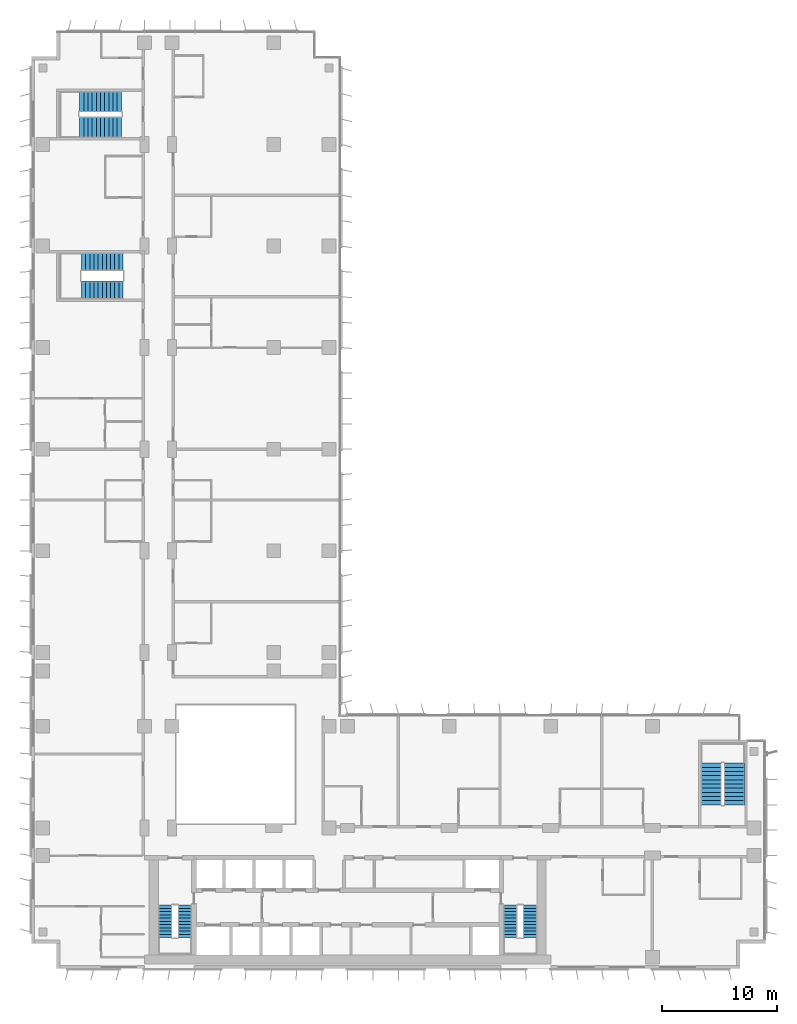
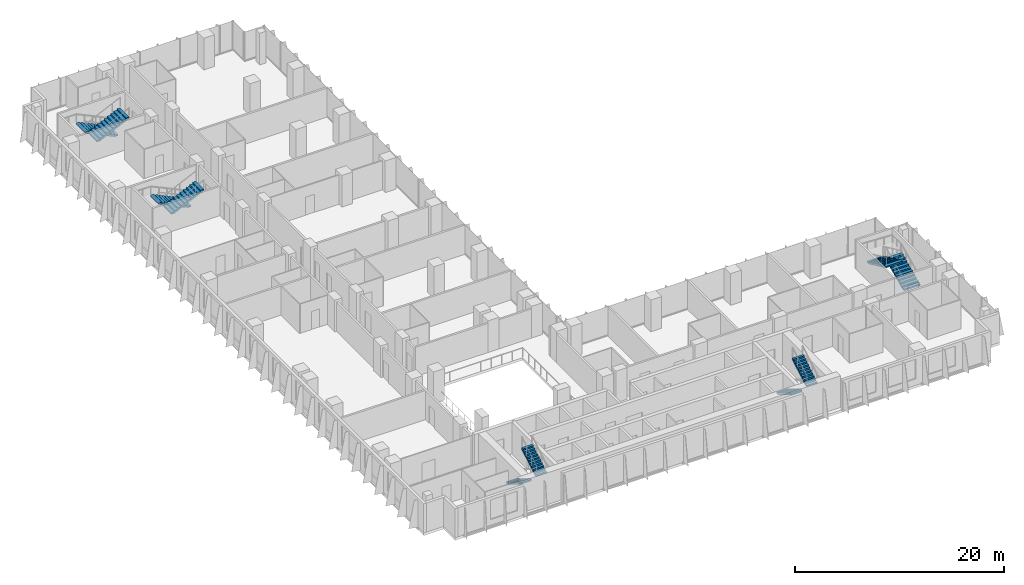
# One storey, part 18 of 22: 10 stair flights, 5 elements without a shape of their own.
"""IFC4 building model written with IfcOpenShell, lengths in metres."""

from ifc_helpers import new_model, si_unit, direction, frame, origin, place, context, subcontext, project, spatial, polyline, outline, extrude, material, type_object, element, aggregate, save


model = new_model("IFC4")

# Units and contexts
model_context = context("Model", 3, precision=1e-05, world=origin(), true_north=direction((0.0, 1.0)))
body_context = subcontext(model_context, "Body", "Model", "MODEL_VIEW")
ifc_project = project(units=[si_unit("LENGTHUNIT", "METRE"), si_unit("AREAUNIT", "SQUARE_METRE"), si_unit("VOLUMEUNIT", "CUBIC_METRE"), si_unit("PLANEANGLEUNIT", "RADIAN"), si_unit("MASSUNIT", "GRAM", prefix="KILO")], contexts=[model_context])

# Site, building, storey
site_placement = place(None, origin())
site = spatial("IfcSite", under=ifc_project, at=site_placement, CompositionType="ELEMENT")
building_placement = place(site_placement, origin())
building = spatial("IfcBuilding", under=site, at=building_placement, Name="Kemantara Hotel Tower", CompositionType="ELEMENT")
storey_placement = place(building_placement, frame((0.0, 0.0, 125.89990234375)))
storey = spatial("IfcBuildingStorey", under=building, at=storey_placement, Name="L30", CompositionType="ELEMENT", Elevation=125.89990234375)

# Stair, stair flights
ifc_material = material(Name="Concrete fc 40 MPa", Category="concrete")
stair_type_1 = type_object("IfcStairType", Name="Stair 1200 wide 22 risers of 168 x 280 mm", PredefinedType="HALF_TURN_STAIR", material=ifc_material)
stair_1_placement = place(storey_placement, origin())
stair_1 = element("IfcStair", 1, at=stair_1_placement, inside=storey, type_object=stair_type_1, Name="L30 Exit stair ST1", PredefinedType="HALF_TURN_STAIR")
stair_flight_type_1 = type_object("IfcStairFlightType", Name="Stair flight 1200 wide 168 x 280 mm", PredefinedType="STRAIGHT", material=ifc_material)
stair_flight_1_placement = place(storey_placement, frame((11.60009765625, 5.5, 0.0), z_axis=(0.0, 0.0, 1.0), x_axis=(0.0, -1.0, 0.0)))
stair_flight_1 = element("IfcStairFlight", 2, at=stair_flight_1_placement, type_object=stair_flight_type_1, Name="ST1 flight 1", NumberOfRisers=11, NumberOfTreads=10, PredefinedType="STRAIGHT", RiserHeight=0.168181818, TreadLength=0.28, context=body_context, shape_type="SweptSolid", body=[
    extrude(outline(polyline([(0.0, 0.0), (0.0, 0.168212890625), (0.280029296875, 0.168212890625), (0.280029296875, 0.33642578125), (0.56005859375, 0.33642578125), (0.56005859375, 0.504638671875), (0.840087890625, 0.504638671875), (0.840087890625, 0.672607421875), (1.1201171875, 0.672607421875), (1.1201171875, 0.8408203125), (1.39990234375, 0.8408203125), (1.39990234375, 1.009033203125), (1.679931640625, 1.009033203125), (1.679931640625, 1.17724609375), (1.9599609375, 1.17724609375), (1.9599609375, 1.345458984375), (2.239990234375, 1.345458984375), (2.239990234375, 1.513671875), (2.52001953125, 1.513671875), (2.52001953125, 1.681884765625), (2.800048828125, 1.681884765625), (2.800048828125, 1.85009765625), (2.800048828125, 1.5068359375), (0.291015625, 0.0), (0.0, 0.0)])), frame((0.0, 0.60009765625, 0.0), z_axis=(0.0, -1.0, 0.0), x_axis=(1.0, 0.0, 0.0)), (0.0, 0.0, 1.0), 1.199951171875),
])
stair_flight_2_placement = place(storey_placement, frame((13.300048828125, 2.699951171875, 1.85009765625), z_axis=(0.0, 0.0, 1.0), x_axis=(0.0, 1.0, 0.0)))
stair_flight_2 = element("IfcStairFlight", 3, at=stair_flight_2_placement, type_object=stair_flight_type_1, Name="ST1 flight 2", NumberOfRisers=11, NumberOfTreads=10, PredefinedType="STRAIGHT", RiserHeight=0.168181818, TreadLength=0.28, context=body_context, shape_type="SweptSolid", body=[
    extrude(outline(polyline([(0.0, 0.0), (0.0, 0.168212890625), (0.280029296875, 0.168212890625), (0.280029296875, 0.33642578125), (0.56005859375, 0.33642578125), (0.56005859375, 0.504638671875), (0.840087890625, 0.504638671875), (0.840087890625, 0.672607421875), (1.1201171875, 0.672607421875), (1.1201171875, 0.8408203125), (1.39990234375, 0.8408203125), (1.39990234375, 1.009033203125), (1.679931640625, 1.009033203125), (1.679931640625, 1.17724609375), (1.9599609375, 1.17724609375), (1.9599609375, 1.345458984375), (2.239990234375, 1.345458984375), (2.239990234375, 1.513671875), (2.52001953125, 1.513671875), (2.52001953125, 1.681884765625), (2.800048828125, 1.681884765625), (2.800048828125, 1.85009765625), (2.800048828125, 1.5068359375), (0.291015625, 0.0), (0.0, 0.0)])), frame((0.0, 0.60009765625, 0.0), z_axis=(0.0, -1.0, 0.0), x_axis=(1.0, 0.0, 0.0)), (0.0, 0.0, 1.0), 1.199951171875),
])
aggregate(stair_1, [stair_flight_1, stair_flight_2])

stair_2_placement = place(storey_placement, origin())
stair_2 = element("IfcStair", 4, at=stair_2_placement, inside=storey, type_object=stair_type_1, Name="L30 Exit stair ST2", PredefinedType="HALF_TURN_STAIR")
stair_flight_3_placement = place(storey_placement, frame((41.5, 5.5, 0.0), z_axis=(0.0, 0.0, 1.0), x_axis=(0.0, -1.0, 0.0)))
stair_flight_3 = element("IfcStairFlight", 5, at=stair_flight_3_placement, type_object=stair_flight_type_1, Name="ST2 flight 1", NumberOfRisers=11, NumberOfTreads=10, PredefinedType="STRAIGHT", RiserHeight=0.168181818, TreadLength=0.28, context=body_context, shape_type="SweptSolid", body=[
    extrude(outline(polyline([(0.0, 0.0), (0.0, 0.168212890625), (0.280029296875, 0.168212890625), (0.280029296875, 0.33642578125), (0.56005859375, 0.33642578125), (0.56005859375, 0.504638671875), (0.840087890625, 0.504638671875), (0.840087890625, 0.672607421875), (1.1201171875, 0.672607421875), (1.1201171875, 0.8408203125), (1.39990234375, 0.8408203125), (1.39990234375, 1.009033203125), (1.679931640625, 1.009033203125), (1.679931640625, 1.17724609375), (1.9599609375, 1.17724609375), (1.9599609375, 1.345458984375), (2.239990234375, 1.345458984375), (2.239990234375, 1.513671875), (2.52001953125, 1.513671875), (2.52001953125, 1.681884765625), (2.800048828125, 1.681884765625), (2.800048828125, 1.85009765625), (2.800048828125, 1.5068359375), (0.291015625, 0.0), (0.0, 0.0)])), frame((0.0, 0.60009765625, 0.0), z_axis=(0.0, -1.0, 0.0), x_axis=(1.0, 0.0, 0.0)), (0.0, 0.0, 1.0), 1.199951171875),
])
stair_flight_4_placement = place(storey_placement, frame((43.199951171875, 2.699951171875, 1.85009765625), z_axis=(0.0, 0.0, 1.0), x_axis=(0.0, 1.0, 0.0)))
stair_flight_4 = element("IfcStairFlight", 6, at=stair_flight_4_placement, type_object=stair_flight_type_1, Name="ST2 flight 2", NumberOfRisers=11, NumberOfTreads=10, PredefinedType="STRAIGHT", RiserHeight=0.168181818, TreadLength=0.28, context=body_context, shape_type="SweptSolid", body=[
    extrude(outline(polyline([(0.0, 0.0), (0.0, 0.168212890625), (0.280029296875, 0.168212890625), (0.280029296875, 0.33642578125), (0.56005859375, 0.33642578125), (0.56005859375, 0.504638671875), (0.840087890625, 0.504638671875), (0.840087890625, 0.672607421875), (1.1201171875, 0.672607421875), (1.1201171875, 0.8408203125), (1.39990234375, 0.8408203125), (1.39990234375, 1.009033203125), (1.679931640625, 1.009033203125), (1.679931640625, 1.17724609375), (1.9599609375, 1.17724609375), (1.9599609375, 1.345458984375), (2.239990234375, 1.345458984375), (2.239990234375, 1.513671875), (2.52001953125, 1.513671875), (2.52001953125, 1.681884765625), (2.800048828125, 1.681884765625), (2.800048828125, 1.85009765625), (2.800048828125, 1.5068359375), (0.291015625, 0.0), (0.0, 0.0)])), frame((0.0, 0.60009765625, 0.0), z_axis=(0.0, -1.0, 0.0), x_axis=(1.0, 0.0, 0.0)), (0.0, 0.0, 1.0), 1.199951171875),
])
aggregate(stair_2, [stair_flight_3, stair_flight_4])

stair_type_2 = type_object("IfcStairType", Name="Stair 1550 wide 22 risers of 168 x 360 mm", PredefinedType="HALF_TURN_STAIR", material=ifc_material)
stair_3_placement = place(storey_placement, origin())
stair_3 = element("IfcStair", 7, at=stair_3_placement, inside=storey, type_object=stair_type_2, Name="L30 Exit stair ST4", PredefinedType="HALF_TURN_STAIR")
stair_flight_type_2 = type_object("IfcStairFlightType", Name="Stair flight 1550 wide 168 x 360 mm", PredefinedType="STRAIGHT", material=ifc_material)
stair_flight_5_placement = place(storey_placement, frame((7.949951171875, 61.22509765625, 0.0), z_axis=(0.0, 0.0, 1.0), x_axis=(-1.0, 0.0, 0.0)))
stair_flight_5 = element("IfcStairFlight", 8, at=stair_flight_5_placement, type_object=stair_flight_type_2, Name="ST4 flight 1", NumberOfRisers=11, NumberOfTreads=10, PredefinedType="STRAIGHT", RiserHeight=0.168181818, TreadLength=0.36, context=body_context, shape_type="SweptSolid", body=[
    extrude(outline(polyline([(0.0, 0.0), (0.0, 0.168212890625), (0.360107421875, 0.168212890625), (0.360107421875, 0.33642578125), (0.719970703125, 0.33642578125), (0.719970703125, 0.504638671875), (1.080078125, 0.504638671875), (1.080078125, 0.672607421875), (1.43994140625, 0.672607421875), (1.43994140625, 0.8408203125), (1.800048828125, 0.8408203125), (1.800048828125, 1.009033203125), (2.159912109375, 1.009033203125), (2.159912109375, 1.17724609375), (2.52001953125, 1.17724609375), (2.52001953125, 1.345458984375), (2.8798828125, 1.345458984375), (2.8798828125, 1.513671875), (3.239990234375, 1.513671875), (3.239990234375, 1.681884765625), (3.60009765625, 1.681884765625), (3.60009765625, 1.85009765625), (3.60009765625, 1.516357421875), (0.354248046875, 0.0), (0.0, 0.0)])), frame((0.0, 0.77490234375, 0.0), z_axis=(0.0, -1.0, 0.0), x_axis=(1.0, 0.0, 0.0)), (0.0, 0.0, 1.0), 1.550048828125),
])
stair_flight_6_placement = place(storey_placement, frame((4.35009765625, 58.77490234375, 1.85009765625), z_axis=(0.0, 0.0, 1.0), x_axis=(1.0, 0.0, 0.0)))
stair_flight_6 = element("IfcStairFlight", 9, at=stair_flight_6_placement, type_object=stair_flight_type_2, Name="ST4 flight 2", NumberOfRisers=11, NumberOfTreads=10, PredefinedType="STRAIGHT", RiserHeight=0.168181818, TreadLength=0.36, context=body_context, shape_type="SweptSolid", body=[
    extrude(outline(polyline([(0.0, 0.0), (0.0, 0.168212890625), (0.360107421875, 0.168212890625), (0.360107421875, 0.33642578125), (0.719970703125, 0.33642578125), (0.719970703125, 0.504638671875), (1.080078125, 0.504638671875), (1.080078125, 0.672607421875), (1.43994140625, 0.672607421875), (1.43994140625, 0.8408203125), (1.800048828125, 0.8408203125), (1.800048828125, 1.009033203125), (2.159912109375, 1.009033203125), (2.159912109375, 1.17724609375), (2.52001953125, 1.17724609375), (2.52001953125, 1.345458984375), (2.8798828125, 1.345458984375), (2.8798828125, 1.513671875), (3.239990234375, 1.513671875), (3.239990234375, 1.681884765625), (3.60009765625, 1.681884765625), (3.60009765625, 1.85009765625), (3.60009765625, 1.516357421875), (0.354248046875, 0.0), (0.0, 0.0)])), frame((0.0, 0.77490234375, 0.0), z_axis=(0.0, -1.0, 0.0), x_axis=(1.0, 0.0, 0.0)), (0.0, 0.0, 1.0), 1.550048828125),
])
aggregate(stair_3, [stair_flight_5, stair_flight_6])

stair_type_3 = type_object("IfcStairType", Name="Stair 1800 wide 22 risers of 168 x 360 mm", PredefinedType="HALF_TURN_STAIR", material=ifc_material)
stair_4_placement = place(storey_placement, origin())
stair_4 = element("IfcStair", 10, at=stair_4_placement, inside=storey, type_object=stair_type_3, Name="L30 Exit stair ST3", PredefinedType="HALF_TURN_STAIR")
stair_flight_type_3 = type_object("IfcStairFlightType", Name="Stair flight 1800 wide 168 x 360 mm", PredefinedType="STRAIGHT", material=ifc_material)
stair_flight_7_placement = place(storey_placement, frame((60.89990234375, 14.199951171875, 0.0), z_axis=(0.0, 0.0, 1.0), x_axis=(0.0, 1.0, 0.0)))
stair_flight_7 = element("IfcStairFlight", 11, at=stair_flight_7_placement, type_object=stair_flight_type_3, Name="ST3 flight 1", NumberOfRisers=11, NumberOfTreads=10, PredefinedType="STRAIGHT", RiserHeight=0.168181818, TreadLength=0.36, context=body_context, shape_type="SweptSolid", body=[
    extrude(outline(polyline([(0.0, 0.0), (0.0, 0.168212890625), (0.360107421875, 0.168212890625), (0.360107421875, 0.33642578125), (0.719970703125, 0.33642578125), (0.719970703125, 0.504638671875), (1.080078125, 0.504638671875), (1.080078125, 0.672607421875), (1.43994140625, 0.672607421875), (1.43994140625, 0.8408203125), (1.800048828125, 0.8408203125), (1.800048828125, 1.009033203125), (2.159912109375, 1.009033203125), (2.159912109375, 1.17724609375), (2.52001953125, 1.17724609375), (2.52001953125, 1.345458984375), (2.8798828125, 1.345458984375), (2.8798828125, 1.513671875), (3.239990234375, 1.513671875), (3.239990234375, 1.681884765625), (3.60009765625, 1.681884765625), (3.60009765625, 1.85009765625), (3.60009765625, 1.516357421875), (0.354248046875, 0.0), (0.0, 0.0)])), frame((0.0, 0.89990234375, 0.0), z_axis=(0.0, -1.0, 0.0), x_axis=(1.0, 0.0, 0.0)), (0.0, 0.0, 1.0), 1.800048828125),
])
stair_flight_8_placement = place(storey_placement, frame((58.89990234375, 17.800048828125, 1.85009765625), z_axis=(0.0, 0.0, 1.0), x_axis=(0.0, -1.0, 0.0)))
stair_flight_8 = element("IfcStairFlight", 12, at=stair_flight_8_placement, type_object=stair_flight_type_3, Name="ST3 flight 2", NumberOfRisers=11, NumberOfTreads=10, PredefinedType="STRAIGHT", RiserHeight=0.168181818, TreadLength=0.36, context=body_context, shape_type="SweptSolid", body=[
    extrude(outline(polyline([(0.0, 0.0), (0.0, 0.168212890625), (0.360107421875, 0.168212890625), (0.360107421875, 0.33642578125), (0.719970703125, 0.33642578125), (0.719970703125, 0.504638671875), (1.080078125, 0.504638671875), (1.080078125, 0.672607421875), (1.43994140625, 0.672607421875), (1.43994140625, 0.8408203125), (1.800048828125, 0.8408203125), (1.800048828125, 1.009033203125), (2.159912109375, 1.009033203125), (2.159912109375, 1.17724609375), (2.52001953125, 1.17724609375), (2.52001953125, 1.345458984375), (2.8798828125, 1.345458984375), (2.8798828125, 1.513671875), (3.239990234375, 1.513671875), (3.239990234375, 1.681884765625), (3.60009765625, 1.681884765625), (3.60009765625, 1.85009765625), (3.60009765625, 1.516357421875), (0.354248046875, 0.0), (0.0, 0.0)])), frame((0.0, 0.89990234375, 0.0), z_axis=(0.0, -1.0, 0.0), x_axis=(1.0, 0.0, 0.0)), (0.0, 0.0, 1.0), 1.800048828125),
])
aggregate(stair_4, [stair_flight_7, stair_flight_8])

stair_5_placement = place(storey_placement, origin())
stair_5 = element("IfcStair", 13, at=stair_5_placement, inside=storey, type_object=stair_type_3, Name="L30 Exit stair ST6", PredefinedType="HALF_TURN_STAIR")
stair_flight_9_placement = place(storey_placement, frame((7.800048828125, 75.10009765625, 0.0), z_axis=(0.0, 0.0, 1.0), x_axis=(-1.0, 0.0, 0.0)))
stair_flight_9 = element("IfcStairFlight", 14, at=stair_flight_9_placement, type_object=stair_flight_type_3, Name="ST6 flight 1", NumberOfRisers=11, NumberOfTreads=10, PredefinedType="STRAIGHT", RiserHeight=0.168181818, TreadLength=0.36, context=body_context, shape_type="SweptSolid", body=[
    extrude(outline(polyline([(0.0, 0.0), (0.0, 0.168212890625), (0.360107421875, 0.168212890625), (0.360107421875, 0.33642578125), (0.719970703125, 0.33642578125), (0.719970703125, 0.504638671875), (1.080078125, 0.504638671875), (1.080078125, 0.672607421875), (1.43994140625, 0.672607421875), (1.43994140625, 0.8408203125), (1.800048828125, 0.8408203125), (1.800048828125, 1.009033203125), (2.159912109375, 1.009033203125), (2.159912109375, 1.17724609375), (2.52001953125, 1.17724609375), (2.52001953125, 1.345458984375), (2.8798828125, 1.345458984375), (2.8798828125, 1.513671875), (3.239990234375, 1.513671875), (3.239990234375, 1.681884765625), (3.60009765625, 1.681884765625), (3.60009765625, 1.85009765625), (3.60009765625, 1.516357421875), (0.354248046875, 0.0), (0.0, 0.0)])), frame((0.0, 0.89990234375, 0.0), z_axis=(0.0, -1.0, 0.0), x_axis=(1.0, 0.0, 0.0)), (0.0, 0.0, 1.0), 1.800048828125),
])
stair_flight_10_placement = place(storey_placement, frame((4.199951171875, 72.89990234375, 1.85009765625), z_axis=(0.0, 0.0, 1.0), x_axis=(1.0, 0.0, 0.0)))
stair_flight_10 = element("IfcStairFlight", 15, at=stair_flight_10_placement, type_object=stair_flight_type_3, Name="ST6 flight 2", NumberOfRisers=11, NumberOfTreads=10, PredefinedType="STRAIGHT", RiserHeight=0.168181818, TreadLength=0.36, context=body_context, shape_type="SweptSolid", body=[
    extrude(outline(polyline([(0.0, 0.0), (0.0, 0.168212890625), (0.360107421875, 0.168212890625), (0.360107421875, 0.33642578125), (0.719970703125, 0.33642578125), (0.719970703125, 0.504638671875), (1.080078125, 0.504638671875), (1.080078125, 0.672607421875), (1.43994140625, 0.672607421875), (1.43994140625, 0.8408203125), (1.800048828125, 0.8408203125), (1.800048828125, 1.009033203125), (2.159912109375, 1.009033203125), (2.159912109375, 1.17724609375), (2.52001953125, 1.17724609375), (2.52001953125, 1.345458984375), (2.8798828125, 1.345458984375), (2.8798828125, 1.513671875), (3.239990234375, 1.513671875), (3.239990234375, 1.681884765625), (3.60009765625, 1.681884765625), (3.60009765625, 1.85009765625), (3.60009765625, 1.516357421875), (0.354248046875, 0.0), (0.0, 0.0)])), frame((0.0, 0.89990234375, 0.0), z_axis=(0.0, -1.0, 0.0), x_axis=(1.0, 0.0, 0.0)), (0.0, 0.0, 1.0), 1.800048828125),
])
aggregate(stair_5, [stair_flight_9, stair_flight_10])

save(model, "model.ifc")
